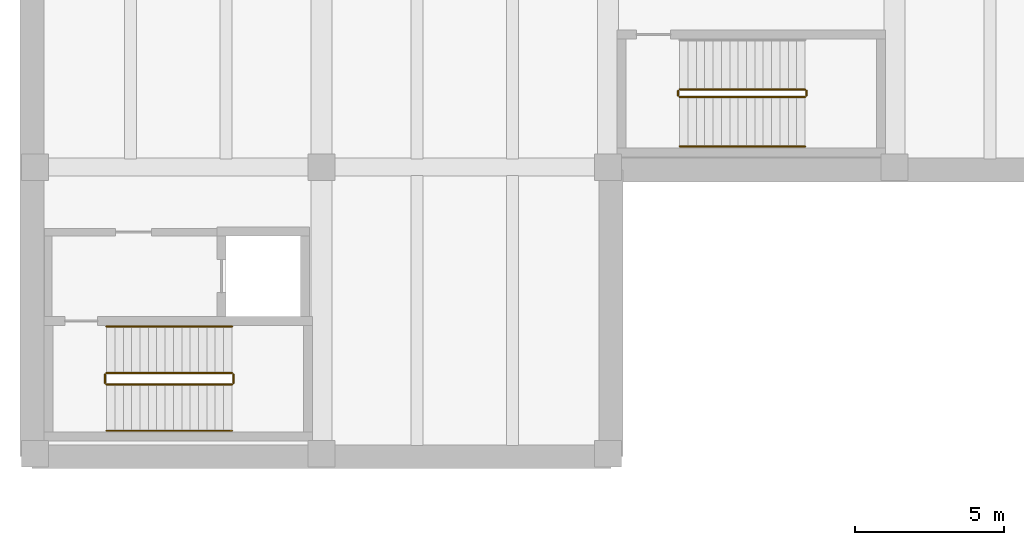
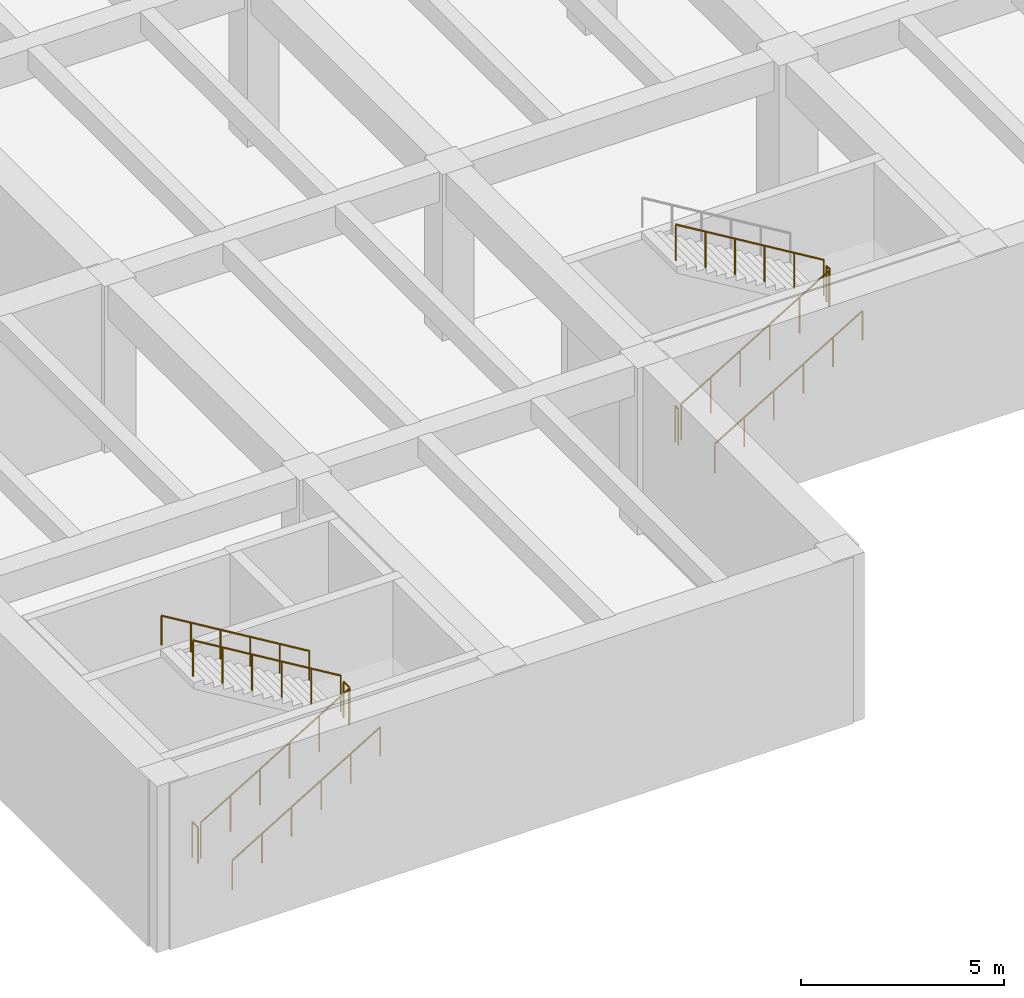
# One storey, part 12 of 19: 11 railings.
"""IFC4 building model written with IfcOpenShell, lengths in metres."""

from ifc_helpers import new_model, si_unit, direction, frame, origin, origin_2d, place, context, subcontext, project, spatial, circle, extrude, material, type_object, element, save


model = new_model("IFC4")

# Units and contexts
model_context = context("Model", 3, precision=1e-05, world=origin(), true_north=direction((0.0, 1.0)))
body_context = subcontext(model_context, "Body", "Model", "MODEL_VIEW")
ifc_project = project(units=[si_unit("LENGTHUNIT", "METRE"), si_unit("AREAUNIT", "SQUARE_METRE"), si_unit("VOLUMEUNIT", "CUBIC_METRE"), si_unit("PLANEANGLEUNIT", "RADIAN"), si_unit("MASSUNIT", "GRAM", prefix="KILO")], contexts=[model_context])

# Site, building, storey
site_placement = place(None, origin())
site = spatial("IfcSite", under=ifc_project, at=site_placement, CompositionType="ELEMENT")
building_placement = place(site_placement, origin())
building = spatial("IfcBuilding", under=site, at=building_placement, Name="Coralgate Yard Interchange", CompositionType="ELEMENT")
storey_placement = place(building_placement, frame((0.0, 0.0, -5.39990234375)))
storey = spatial("IfcBuildingStorey", under=building, at=storey_placement, Name="B1", CompositionType="ELEMENT", Elevation=-5.39990234375)

# Railings
ifc_material_1 = material(Name="Grade 316 marine stainless steel and toughened glass balustrade", Category="steel")
railing_type_1 = type_object("IfcRailingType", Name="RLG-GD1100", PredefinedType="BALUSTRADE", material=ifc_material_1)
railing_1_placement = place(storey_placement, frame((12.0, 31.1201171875, 0.168701171875)))
element("IfcRailing", 1, at=railing_1_placement, inside=storey, type_object=railing_type_1, Name="B1 ST-01 stair guard 1", PredefinedType="BALUSTRADE", context=body_context, shape_type="SweptSolid", body=[
    extrude(circle(Radius=0.02392578125, at=origin_2d()), frame((0.0, 0.0, 1.076171875), z_axis=(0.856476492594, 0.0, 0.516186030065), x_axis=(0.0, 1.0, 0.0)), (0.0, 0.0, 1.0), 4.90380859375),
    extrude(circle(Radius=0.02099609375, at=origin_2d()), origin(), (0.0, 0.0, 1.0), 1.051513671875),
    extrude(circle(Radius=0.02099609375, at=origin_2d()), frame((0.840087890625, 0.0, 0.50634765625)), (0.0, 0.0, 1.0), 1.051513671875),
    extrude(circle(Radius=0.02099609375, at=origin_2d()), frame((1.679931640625, 0.0, 1.012451171875)), (0.0, 0.0, 1.0), 1.051513671875),
    extrude(circle(Radius=0.02099609375, at=origin_2d()), frame((2.52001953125, 0.0, 1.518798828125)), (0.0, 0.0, 1.0), 1.051513671875),
    extrude(circle(Radius=0.02099609375, at=origin_2d()), frame((3.35986328125, 0.0, 2.02490234375)), (0.0, 0.0, 1.0), 1.051513671875),
    extrude(circle(Radius=0.02099609375, at=origin_2d()), frame((4.199951171875, 0.0, 2.53125)), (0.0, 0.0, 1.0), 1.051513671875),
])
railing_2_placement = place(storey_placement, frame((16.25, 31.169921875, 2.699951171875)))
element("IfcRailing", 2, at=railing_2_placement, inside=storey, type_object=railing_type_1, Name="B1 ST-01 stair guard 2", PredefinedType="BALUSTRADE", context=body_context, shape_type="SweptSolid", body=[
    extrude(circle(Radius=0.02392578125, at=origin_2d()), frame((0.0, 0.0, 1.076171875), z_axis=(0.0, 1.0, 0.0), x_axis=(-1.0, 0.0, 0.0)), (0.0, 0.0, 1.0), 0.2900390625),
    extrude(circle(Radius=0.02099609375, at=origin_2d()), origin(), (0.0, 0.0, 1.0), 1.051513671875),
    extrude(circle(Radius=0.02099609375, at=origin_2d()), frame((0.0, 0.2900390625, 0.0)), (0.0, 0.0, 1.0), 1.051513671875),
])
railing_3_placement = place(storey_placement, frame((16.199951171875, 31.510009765625, 2.86865234375)))
element("IfcRailing", 3, at=railing_3_placement, inside=storey, type_object=railing_type_1, Name="B1 ST-01 stair guard 3", PredefinedType="BALUSTRADE", context=body_context, shape_type="SweptSolid", body=[
    extrude(circle(Radius=0.02392578125, at=origin_2d()), frame((0.0, 0.0, 1.076171875), z_axis=(-0.856476492594, 0.0, 0.516186030065), x_axis=(0.0, -1.0, 0.0)), (0.0, 0.0, 1.0), 4.90380859375),
    extrude(circle(Radius=0.02099609375, at=origin_2d()), origin(), (0.0, 0.0, 1.0), 1.051513671875),
    extrude(circle(Radius=0.02099609375, at=origin_2d()), frame((-0.840087890625, 0.0, 0.50634765625)), (0.0, 0.0, 1.0), 1.051513671875),
    extrude(circle(Radius=0.02099609375, at=origin_2d()), frame((-1.679931640625, 0.0, 1.012451171875)), (0.0, 0.0, 1.0), 1.051513671875),
    extrude(circle(Radius=0.02099609375, at=origin_2d()), frame((-2.52001953125, 0.0, 1.518798828125)), (0.0, 0.0, 1.0), 1.051513671875),
    extrude(circle(Radius=0.02099609375, at=origin_2d()), frame((-3.35986328125, 0.0, 2.02490234375)), (0.0, 0.0, 1.0), 1.051513671875),
    extrude(circle(Radius=0.02099609375, at=origin_2d()), frame((-4.199951171875, 0.0, 2.53125)), (0.0, 0.0, 1.0), 1.051513671875),
])
railing_4_placement = place(storey_placement, frame((11.949951171875, 31.169921875, 0.0)))
element("IfcRailing", 4, at=railing_4_placement, inside=storey, type_object=railing_type_1, Name="B1 ST-01 stair guard 4", PredefinedType="BALUSTRADE", context=body_context, shape_type="SweptSolid", body=[
    extrude(circle(Radius=0.02392578125, at=origin_2d()), frame((0.0, 0.0, 1.076171875), z_axis=(0.0, 1.0, 0.0), x_axis=(-1.0, 0.0, 0.0)), (0.0, 0.0, 1.0), 0.2900390625),
    extrude(circle(Radius=0.02099609375, at=origin_2d()), origin(), (0.0, 0.0, 1.0), 1.051513671875),
    extrude(circle(Radius=0.02099609375, at=origin_2d()), frame((0.0, 0.2900390625, 0.0)), (0.0, 0.0, 1.0), 1.051513671875),
])
railing_5_placement = place(storey_placement, frame((31.199951171875, 40.75, 0.168701171875)))
element("IfcRailing", 5, at=railing_5_placement, inside=storey, type_object=railing_type_1, Name="B1 ST-12 stair guard 1", PredefinedType="BALUSTRADE", context=body_context, shape_type="SweptSolid", body=[
    extrude(circle(Radius=0.02392578125, at=origin_2d()), frame((0.0, 0.0, 1.076171875), z_axis=(0.856476492594, 0.0, 0.516186030065), x_axis=(0.0, 1.0, 0.0)), (0.0, 0.0, 1.0), 4.90380859375),
    extrude(circle(Radius=0.02099609375, at=origin_2d()), origin(), (0.0, 0.0, 1.0), 1.051513671875),
    extrude(circle(Radius=0.02099609375, at=origin_2d()), frame((0.840087890625, 0.0, 0.50634765625)), (0.0, 0.0, 1.0), 1.051513671875),
    extrude(circle(Radius=0.02099609375, at=origin_2d()), frame((1.679931640625, 0.0, 1.012451171875)), (0.0, 0.0, 1.0), 1.051513671875),
    extrude(circle(Radius=0.02099609375, at=origin_2d()), frame((2.52001953125, 0.0, 1.518798828125)), (0.0, 0.0, 1.0), 1.051513671875),
    extrude(circle(Radius=0.02099609375, at=origin_2d()), frame((3.35986328125, 0.0, 2.02490234375)), (0.0, 0.0, 1.0), 1.051513671875),
    extrude(circle(Radius=0.02099609375, at=origin_2d()), frame((4.199951171875, 0.0, 2.53125)), (0.0, 0.0, 1.0), 1.051513671875),
])
railing_6_placement = place(storey_placement, frame((35.449951171875, 40.800048828125, 2.699951171875)))
element("IfcRailing", 6, at=railing_6_placement, inside=storey, type_object=railing_type_1, Name="B1 ST-12 stair guard 2", PredefinedType="BALUSTRADE", context=body_context, shape_type="SweptSolid", body=[
    extrude(circle(Radius=0.02392578125, at=origin_2d()), frame((0.0, 0.0, 1.076171875), z_axis=(0.0, 1.0, 0.0), x_axis=(-1.0, 0.0, 0.0)), (0.0, 0.0, 1.0), 0.159912109375),
    extrude(circle(Radius=0.02099609375, at=origin_2d()), origin(), (0.0, 0.0, 1.0), 1.051513671875),
    extrude(circle(Radius=0.02099609375, at=origin_2d()), frame((0.0, 0.159912109375, 0.0)), (0.0, 0.0, 1.0), 1.051513671875),
])
railing_7_placement = place(storey_placement, frame((35.39990234375, 41.010009765625, 2.86865234375)))
element("IfcRailing", 7, at=railing_7_placement, inside=storey, type_object=railing_type_1, Name="B1 ST-12 stair guard 3", PredefinedType="BALUSTRADE", context=body_context, shape_type="SweptSolid", body=[
    extrude(circle(Radius=0.02392578125, at=origin_2d()), frame((0.0, 0.0, 1.076171875), z_axis=(-0.856476492594, 0.0, 0.516186030065), x_axis=(0.0, -1.0, 0.0)), (0.0, 0.0, 1.0), 4.90380859375),
    extrude(circle(Radius=0.02099609375, at=origin_2d()), origin(), (0.0, 0.0, 1.0), 1.051513671875),
    extrude(circle(Radius=0.02099609375, at=origin_2d()), frame((-0.840087890625, 0.0, 0.50634765625)), (0.0, 0.0, 1.0), 1.051513671875),
    extrude(circle(Radius=0.02099609375, at=origin_2d()), frame((-1.679931640625, 0.0, 1.012451171875)), (0.0, 0.0, 1.0), 1.051513671875),
    extrude(circle(Radius=0.02099609375, at=origin_2d()), frame((-2.52001953125, 0.0, 1.518798828125)), (0.0, 0.0, 1.0), 1.051513671875),
    extrude(circle(Radius=0.02099609375, at=origin_2d()), frame((-3.35986328125, 0.0, 2.02490234375)), (0.0, 0.0, 1.0), 1.051513671875),
    extrude(circle(Radius=0.02099609375, at=origin_2d()), frame((-4.199951171875, 0.0, 2.53125)), (0.0, 0.0, 1.0), 1.051513671875),
])
railing_8_placement = place(storey_placement, frame((31.14990234375, 40.800048828125, 0.0)))
element("IfcRailing", 8, at=railing_8_placement, inside=storey, type_object=railing_type_1, Name="B1 ST-12 stair guard 4", PredefinedType="BALUSTRADE", context=body_context, shape_type="SweptSolid", body=[
    extrude(circle(Radius=0.02392578125, at=origin_2d()), frame((0.0, 0.0, 1.076171875), z_axis=(0.0, 1.0, 0.0), x_axis=(-1.0, 0.0, 0.0)), (0.0, 0.0, 1.0), 0.159912109375),
    extrude(circle(Radius=0.02099609375, at=origin_2d()), origin(), (0.0, 0.0, 1.0), 1.051513671875),
    extrude(circle(Radius=0.02099609375, at=origin_2d()), frame((0.0, 0.159912109375, 0.0)), (0.0, 0.0, 1.0), 1.051513671875),
])
ifc_material_2 = material(Name="Grade 316 marine stainless steel", Category="steel")
railing_type_2 = type_object("IfcRailingType", Name="RLG-HR900", PredefinedType="HANDRAIL", material=ifc_material_2)
railing_9_placement = place(storey_placement, frame((12.0, 29.570068359375, 0.168701171875)))
element("IfcRailing", 9, at=railing_9_placement, inside=storey, type_object=railing_type_2, Name="B1 ST-01 stair handrail 1", PredefinedType="HANDRAIL", context=body_context, shape_type="SweptSolid", body=[
    extrude(circle(Radius=0.02392578125, at=origin_2d()), frame((0.0, 0.0, 0.8759765625), z_axis=(0.856476492594, 0.0, 0.516186030065), x_axis=(0.0, 1.0, 0.0)), (0.0, 0.0, 1.0), 4.90380859375),
    extrude(circle(Radius=0.02099609375, at=origin_2d()), origin(), (0.0, 0.0, 1.0), 0.851318359375),
    extrude(circle(Radius=0.02099609375, at=origin_2d()), frame((0.840087890625, 0.0, 0.50634765625)), (0.0, 0.0, 1.0), 0.851318359375),
    extrude(circle(Radius=0.02099609375, at=origin_2d()), frame((1.679931640625, 0.0, 1.012451171875)), (0.0, 0.0, 1.0), 0.851318359375),
    extrude(circle(Radius=0.02099609375, at=origin_2d()), frame((2.52001953125, 0.0, 1.518798828125)), (0.0, 0.0, 1.0), 0.851318359375),
    extrude(circle(Radius=0.02099609375, at=origin_2d()), frame((3.35986328125, 0.0, 2.02490234375)), (0.0, 0.0, 1.0), 0.851318359375),
    extrude(circle(Radius=0.02099609375, at=origin_2d()), frame((4.199951171875, 0.0, 2.53125)), (0.0, 0.0, 1.0), 0.851318359375),
])
railing_10_placement = place(storey_placement, frame((16.199951171875, 33.06005859375, 2.86865234375)))
element("IfcRailing", 10, at=railing_10_placement, inside=storey, type_object=railing_type_2, Name="B1 ST-01 stair handrail 2", PredefinedType="HANDRAIL", context=body_context, shape_type="SweptSolid", body=[
    extrude(circle(Radius=0.02392578125, at=origin_2d()), frame((0.0, 0.0, 0.8759765625), z_axis=(-0.856476492594, 0.0, 0.516186030065), x_axis=(0.0, -1.0, 0.0)), (0.0, 0.0, 1.0), 4.90380859375),
    extrude(circle(Radius=0.02099609375, at=origin_2d()), origin(), (0.0, 0.0, 1.0), 0.851318359375),
    extrude(circle(Radius=0.02099609375, at=origin_2d()), frame((-0.840087890625, 0.0, 0.50634765625)), (0.0, 0.0, 1.0), 0.851318359375),
    extrude(circle(Radius=0.02099609375, at=origin_2d()), frame((-1.679931640625, 0.0, 1.012451171875)), (0.0, 0.0, 1.0), 0.851318359375),
    extrude(circle(Radius=0.02099609375, at=origin_2d()), frame((-2.52001953125, 0.0, 1.518798828125)), (0.0, 0.0, 1.0), 0.851318359375),
    extrude(circle(Radius=0.02099609375, at=origin_2d()), frame((-3.35986328125, 0.0, 2.02490234375)), (0.0, 0.0, 1.0), 0.851318359375),
    extrude(circle(Radius=0.02099609375, at=origin_2d()), frame((-4.199951171875, 0.0, 2.53125)), (0.0, 0.0, 1.0), 0.851318359375),
])
railing_11_placement = place(storey_placement, frame((31.199951171875, 39.10009765625, 0.168701171875)))
element("IfcRailing", 11, at=railing_11_placement, inside=storey, type_object=railing_type_2, Name="B1 ST-12 stair handrail 1", PredefinedType="HANDRAIL", context=body_context, shape_type="SweptSolid", body=[
    extrude(circle(Radius=0.02392578125, at=origin_2d()), frame((0.0, 0.0, 0.8759765625), z_axis=(0.856476492594, 0.0, 0.516186030065), x_axis=(0.0, 1.0, 0.0)), (0.0, 0.0, 1.0), 4.90380859375),
    extrude(circle(Radius=0.02099609375, at=origin_2d()), origin(), (0.0, 0.0, 1.0), 0.851318359375),
    extrude(circle(Radius=0.02099609375, at=origin_2d()), frame((0.840087890625, 0.0, 0.50634765625)), (0.0, 0.0, 1.0), 0.851318359375),
    extrude(circle(Radius=0.02099609375, at=origin_2d()), frame((1.679931640625, 0.0, 1.012451171875)), (0.0, 0.0, 1.0), 0.851318359375),
    extrude(circle(Radius=0.02099609375, at=origin_2d()), frame((2.52001953125, 0.0, 1.518798828125)), (0.0, 0.0, 1.0), 0.851318359375),
    extrude(circle(Radius=0.02099609375, at=origin_2d()), frame((3.35986328125, 0.0, 2.02490234375)), (0.0, 0.0, 1.0), 0.851318359375),
    extrude(circle(Radius=0.02099609375, at=origin_2d()), frame((4.199951171875, 0.0, 2.53125)), (0.0, 0.0, 1.0), 0.851318359375),
])

save(model, "model.ifc")
